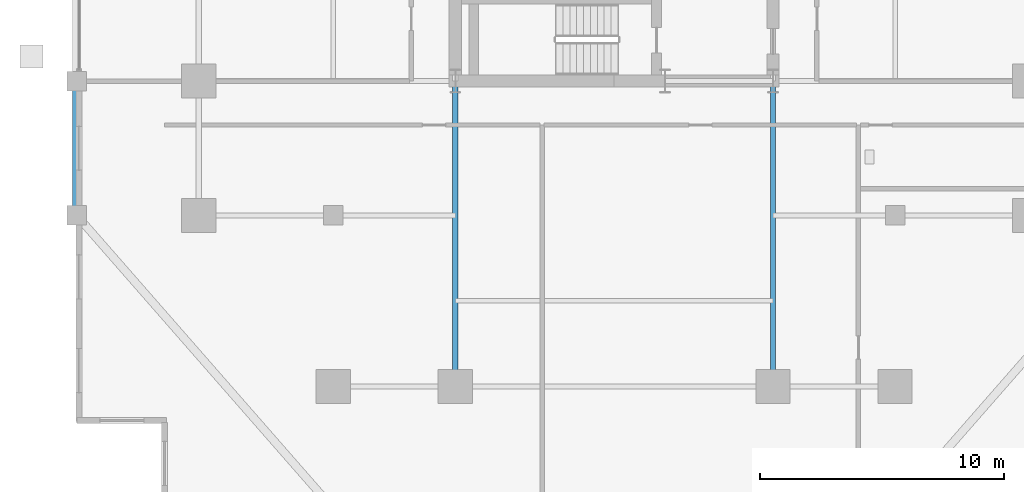
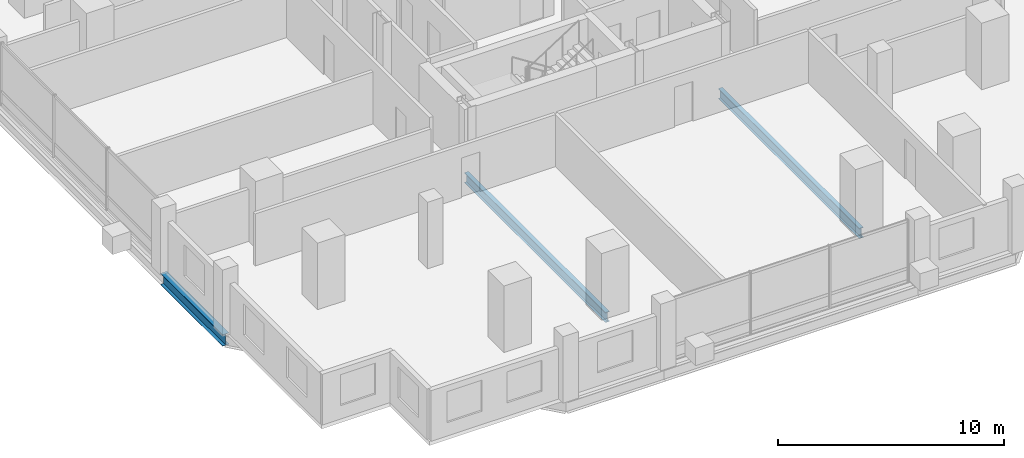
# One storey, part 3 of 21: 3 beams.
"""IFC4 building model written with IfcOpenShell, lengths in metres."""

from ifc_helpers import new_model, si_unit, direction, frame, origin, origin_2d, place, context, subcontext, project, spatial, i_section, extrude, material, material_profile, profile_set, type_object, element, save


model = new_model("IFC4")

# Units and contexts
model_context = context("Model", 3, precision=1e-05, world=origin(), true_north=direction((0.0, 1.0)))
body_context = subcontext(model_context, "Body", "Model", "MODEL_VIEW")
ifc_project = project(units=[si_unit("LENGTHUNIT", "METRE"), si_unit("AREAUNIT", "SQUARE_METRE"), si_unit("VOLUMEUNIT", "CUBIC_METRE"), si_unit("PLANEANGLEUNIT", "RADIAN"), si_unit("MASSUNIT", "GRAM", prefix="KILO")], contexts=[model_context])

# Site, building, storey
site_placement = place(None, origin())
site = spatial("IfcSite", under=ifc_project, at=site_placement, CompositionType="ELEMENT")
building_placement = place(site_placement, origin())
building = spatial("IfcBuilding", under=site, at=building_placement, Name="Barlavira Tower and Art Museum", CompositionType="ELEMENT")
storey_placement = place(building_placement, frame((0.0, 0.0, 86.39990234375)))
storey = spatial("IfcBuildingStorey", under=building, at=storey_placement, Name="L21", CompositionType="ELEMENT", Elevation=86.39990234375)

# Beams
ifc_material = material(Name="Steel S355", Category="steel")
ifc_material_profile_1 = material_profile(ifc_material, i_section(OverallWidth=0.327880859375, OverallDepth=0.62890625, WebThickness=0.013916015625, FlangeThickness=0.021484375, at=origin_2d()), Name="W610x174.0")
ifc_profile_set_1 = profile_set([ifc_material_profile_1], Name="Steel S355")
beam_type_1 = type_object("IfcBeamType", Name="Perimeter Spandrel Edge Beam W610x174 Steel S355", PredefinedType="SPANDREL", material=ifc_profile_set_1)
beam_placement = place(storey_placement, frame((-22.0, -13.0, -0.534423828125), z_axis=(0.0, 1.0, 0.0), x_axis=(-1.0, 0.0, 0.0)))
element("IfcBeam", 1, at=beam_placement, inside=storey, type_object=beam_type_1, Name="L21 Spandrel 15", PredefinedType="SPANDREL", context=body_context, shape_type="SweptSolid", body=[
    extrude(i_section(OverallWidth=0.327880859375, OverallDepth=0.62890625, WebThickness=0.013916015625, FlangeThickness=0.021484375, at=origin_2d()), origin(), (0.0, 0.0, 1.0), 5.5),
])
ifc_material_profile_2 = material_profile(ifc_material, i_section(OverallWidth=0.214111328125, OverallDepth=0.549072265625, WebThickness=0.0146484375, FlangeThickness=0.023681640625, at=origin_2d()), Name="W530x138.0")
ifc_profile_set_2 = profile_set([ifc_material_profile_2], Name="Steel S355")
beam_type_2 = type_object("IfcBeamType", Name="Zone 1 Primary Floor Girder W530x138 Steel S355", PredefinedType="BEAM", material=ifc_profile_set_2)
for number, where, z_axis, x_axis, name in (
    (2, (-6.5, -20.0, -0.494384765625), (0.0, 1.0, 0.0), (-1.0, 0.0, 0.0), "L21 Girder R-S1"),
    (3, (6.5, -20.0, -0.494384765625), (0.0, 1.0, 0.0), (-1.0, 0.0, 0.0), "L21 Girder R-S2"),
):
    element("IfcBeam", number, at=place(storey_placement, frame(where, z_axis=z_axis, x_axis=x_axis)), inside=storey, type_object=beam_type_2, Name=name, PredefinedType="BEAM", context=body_context, shape_type="SweptSolid", body=[
        extrude(i_section(OverallWidth=0.214111328125, OverallDepth=0.549072265625, WebThickness=0.0146484375, FlangeThickness=0.023681640625, at=origin_2d()), origin(), (0.0, 0.0, 1.0), 12.5),
    ])

save(model, "model.ifc")
